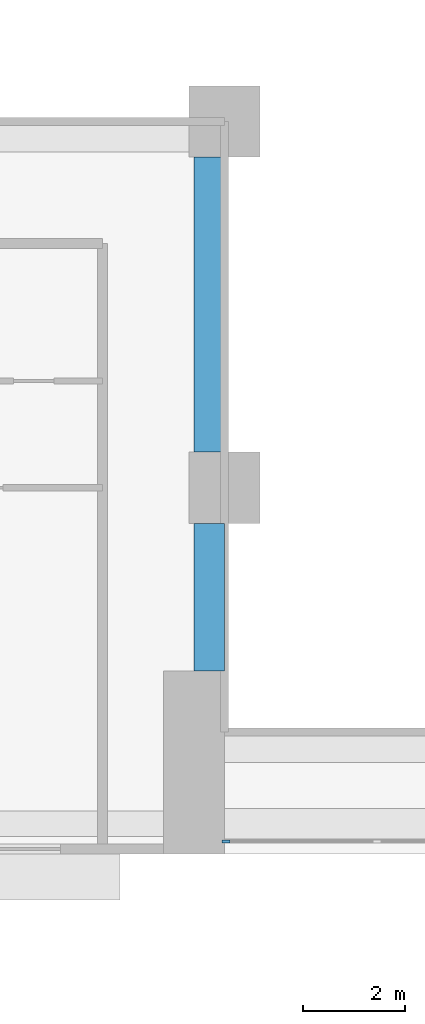
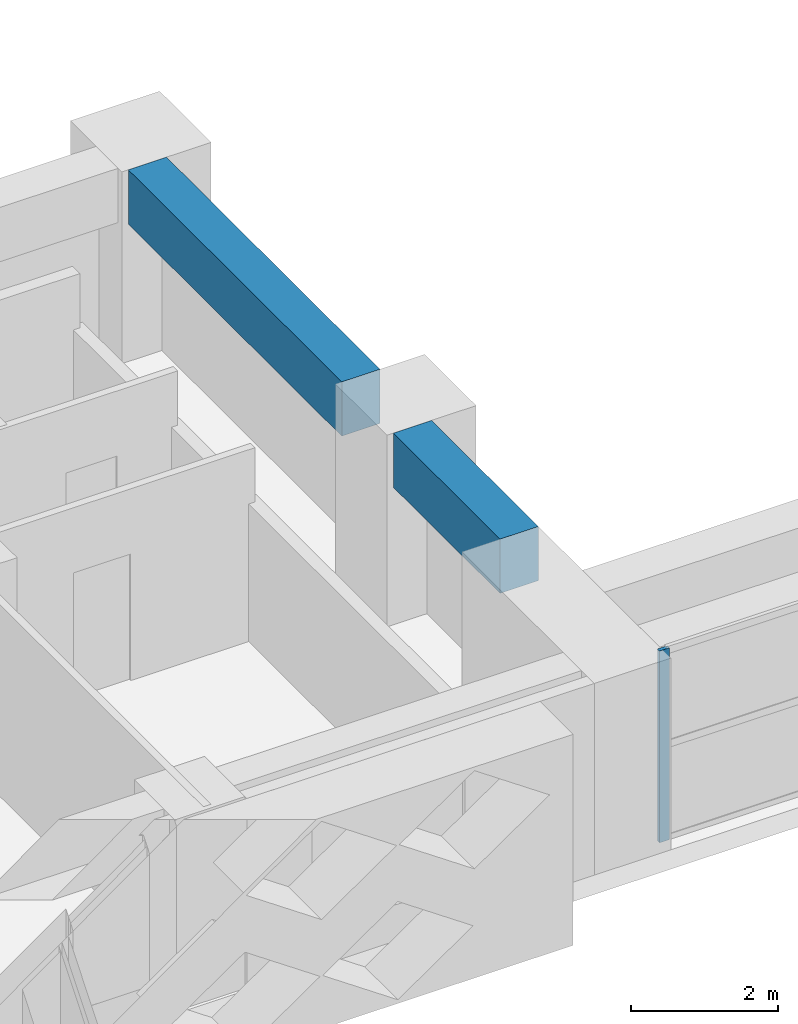
# One storey, part 2 of 17: 2 beams, 1 member, 1 element without a shape of its own.
"""IFC4 building model written with IfcOpenShell, lengths in metres."""

from ifc_helpers import new_model, si_unit, direction, frame, origin, origin_2d, place, context, subcontext, project, spatial, rectangle, extrude, source, transform, mapped, material, layer, layer_set, material_profile, profile_set, type_object, element, aggregate, save


model = new_model("IFC4")

# Units and contexts
model_context = context("Model", 3, precision=1e-05, world=origin(), true_north=direction((0.0, 1.0)))
body_context = subcontext(model_context, "Body", "Model", "MODEL_VIEW")
ifc_project = project(units=[si_unit("LENGTHUNIT", "METRE"), si_unit("AREAUNIT", "SQUARE_METRE"), si_unit("VOLUMEUNIT", "CUBIC_METRE"), si_unit("PLANEANGLEUNIT", "RADIAN"), si_unit("MASSUNIT", "GRAM", prefix="KILO")], contexts=[model_context])

# Site, building, storey
site_placement = place(None, origin())
site = spatial("IfcSite", under=ifc_project, at=site_placement, CompositionType="ELEMENT")
building_placement = place(site_placement, origin())
building = spatial("IfcBuilding", under=site, at=building_placement, Name="Saffron Iwan Residences", CompositionType="ELEMENT")
storey_placement = place(building_placement, frame((0.0, 0.0, 51.5)))
storey = spatial("IfcBuildingStorey", under=building, at=storey_placement, Name="L12", CompositionType="ELEMENT", Elevation=51.5)

# Beams
ifc_material_1 = material(Name="Concrete C60/75", Category="concrete")
ifc_material_profile_1 = material_profile(ifc_material_1, rectangle(XDim=0.60009765625, YDim=0.89990234375, at=origin_2d()), Name="RC 600x900")
ifc_profile_set_1 = profile_set([ifc_material_profile_1], Name="Concrete C60/75")
beam_type = type_object("IfcBeamType", Name="BEAM RC 600x900 C60/75 TOP 3180", PredefinedType="BEAM", material=ifc_profile_set_1)
shared_shape_1 = source(origin(), body_context, "Body", "SweptSolid", [
    extrude(rectangle(XDim=0.60009765625, YDim=0.89990234375, at=origin_2d()), origin(), (0.0, 0.0, 1.0), 2.900146484375),
])
beam_1_placement = place(storey_placement, frame((42.89990234375, 37.199951171875, 2.72998046875), z_axis=(0.0, 1.0, 0.0), x_axis=(-1.0, 0.0, 0.0)))
element("IfcBeam", 1, at=beam_1_placement, inside=storey, type_object=beam_type, Name="Atrium edge beam", PredefinedType="BEAM", context=body_context, shape_type="MappedRepresentation", body=[
    mapped(shared_shape_1, transform((0.0, 0.0, 0.0))),
])
shared_shape_2 = source(origin(), body_context, "Body", "SweptSolid", [
    extrude(rectangle(XDim=0.60009765625, YDim=0.89990234375, at=origin_2d()), origin(), (0.0, 0.0, 1.0), 5.800048828125),
])
beam_2_placement = place(storey_placement, frame((42.89990234375, 41.5, 2.72998046875), z_axis=(0.0, 1.0, 0.0), x_axis=(-1.0, 0.0, 0.0)))
element("IfcBeam", 2, at=beam_2_placement, inside=storey, type_object=beam_type, Name="Atrium edge beam", PredefinedType="BEAM", context=body_context, shape_type="MappedRepresentation", body=[
    mapped(shared_shape_2, transform((0.0, 0.0, 0.0))),
])

# Curtain wall, member
ifc_material_2 = material(Name="Clear glass, laminated double glazed", Category="glass")
ifc_layer = layer(ifc_material_2, 0.199951171875)
ifc_layer_set = layer_set([ifc_layer], Name="Clear glass, laminated double glazed")
curtain_wall_type = type_object("IfcCurtainWallType", Name="CW-B IWAN PORTAL", PredefinedType="NOTDEFINED", material=ifc_layer_set)
curtain_wall_placement = place(storey_placement, origin())
curtain_wall = element("IfcCurtainWall", 3, at=curtain_wall_placement, inside=storey, type_object=curtain_wall_type, Name="Iwan portal glazing L12.1", PredefinedType="NOTDEFINED")
ifc_material_3 = material(Name="Aluminium 6063-T6", Category="aluminium")
ifc_material_profile_2 = material_profile(ifc_material_3, rectangle(XDim=0.06005859375, YDim=0.159912109375, at=origin_2d()), Name="CW-B MULLION 60 x 160")
ifc_profile_set_2 = profile_set([ifc_material_profile_2], Name="Aluminium 6063-T6")
member_type = type_object("IfcMemberType", Name="CW-B MULLION 60 x 160", PredefinedType="MULLION", material=ifc_profile_set_2)
shared_shape_3 = source(origin(), body_context, "Body", "SweptSolid", [
    extrude(rectangle(XDim=0.06005859375, YDim=0.159912109375, at=origin_2d()), origin(), (0.0, 0.0, 1.0), 3.179931640625),
])
member_placement = place(storey_placement, frame((43.22998046875, 33.85009765625, 0.0), z_axis=(0.0, 0.0, 1.0), x_axis=(0.0, 1.0, 0.0)))
member = element("IfcMember", 4, at=member_placement, type_object=member_type, Name="CW-B mullion 1", PredefinedType="MULLION", context=body_context, shape_type="MappedRepresentation", body=[
    mapped(shared_shape_3, transform((0.0, 0.0, 0.0))),
])
aggregate(curtain_wall, [member])

save(model, "model.ifc")
